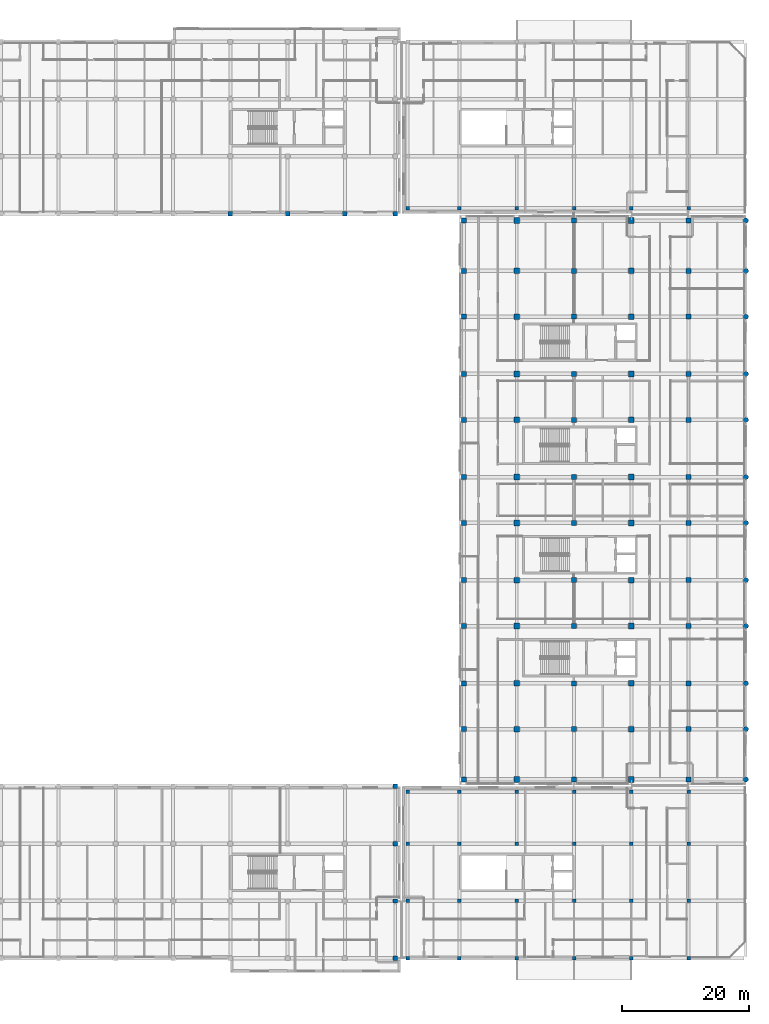
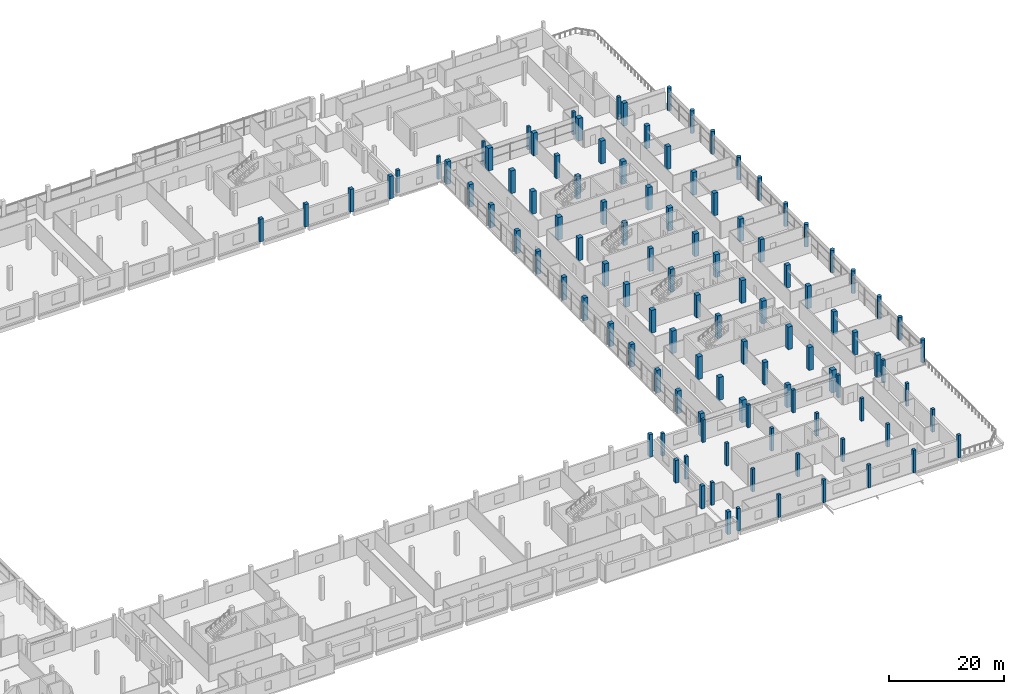
# One storey, part 2 of 111: 110 columns.
"""IFC4 building model written with IfcOpenShell, lengths in metres."""

from ifc_helpers import new_model, si_unit, direction, frame, origin, origin_2d, place, context, subcontext, project, spatial, rectangle, circle, extrude, material, material_profile, profile_set, type_object, element, save


model = new_model("IFC4")

# Units and contexts
model_context = context("Model", 3, precision=1e-05, world=origin(), true_north=direction((0.0, 1.0)))
body_context = subcontext(model_context, "Body", "Model", "MODEL_VIEW")
ifc_project = project(units=[si_unit("LENGTHUNIT", "METRE"), si_unit("AREAUNIT", "SQUARE_METRE"), si_unit("VOLUMEUNIT", "CUBIC_METRE"), si_unit("PLANEANGLEUNIT", "RADIAN"), si_unit("MASSUNIT", "GRAM", prefix="KILO"), si_unit("THERMODYNAMICTEMPERATUREUNIT", "KELVIN"), si_unit("POWERUNIT", "WATT")], contexts=[model_context])

# Site, building, storey
site_placement = place(None, origin())
site = spatial("IfcSite", under=ifc_project, at=site_placement, CompositionType="ELEMENT")
building_placement = place(site_placement, origin())
building = spatial("IfcBuilding", under=site, at=building_placement, Name="Sindhuravela Promenade Stadium", CompositionType="ELEMENT")
storey_placement = place(building_placement, frame((0.0, 0.0, 9.60009765625)))
storey = spatial("IfcBuildingStorey", under=building, at=storey_placement, Name="L02", CompositionType="ELEMENT", Elevation=9.60009765625)

# Columns
ifc_material = material(Name="Concrete M40", Category="concrete")
ifc_material_profile_1 = material_profile(ifc_material, rectangle(XDim=0.550048828125, YDim=0.550048828125, at=origin_2d()), Name="RC 550x550")
ifc_profile_set_1 = profile_set([ifc_material_profile_1], Name="Concrete M40")
column_type_1 = type_object("IfcColumnType", Name="RC-CL-550x550", PredefinedType="COLUMN", material=ifc_profile_set_1)
for number, where, z_axis, x_axis, name in (
    (1, (162.85009765625, 9.0, 0.0), (0.0, 0.0, 1.0), (1.0, 0.0, 0.0), "Column C18 Pavilion SE L02"),
    (2, (162.85009765625, 18.0, 0.0), (0.0, 0.0, 1.0), (1.0, 0.0, 0.0), "Column C18 Pavilion SE L02"),
    (3, (162.85009765625, 27.0, 0.0), (0.0, 0.0, 1.0), (1.0, 0.0, 0.0), "Column C18 Pavilion SE L02"),
    (4, (162.85009765625, 35.14990234375, 0.0), (0.0, 0.0, 1.0), (1.0, 0.0, 0.0), "Column C18 Pavilion SE L02"),
    (5, (171.0, 9.0, 0.0), (0.0, 0.0, 1.0), (1.0, 0.0, 0.0), "Column C18 Pavilion SE L02"),
    (6, (171.0, 18.0, 0.0), (0.0, 0.0, 1.0), (1.0, 0.0, 0.0), "Column C18 Pavilion SE L02"),
    (7, (171.0, 27.0, 0.0), (0.0, 0.0, 1.0), (1.0, 0.0, 0.0), "Column C18 Pavilion SE L02"),
    (8, (171.0, 35.14990234375, 0.0), (0.0, 0.0, 1.0), (1.0, 0.0, 0.0), "Column C18 Pavilion SE L02"),
    (9, (180.0, 9.0, 0.0), (0.0, 0.0, 1.0), (1.0, 0.0, 0.0), "Column C18 Pavilion SE L02"),
    (10, (180.0, 18.0, 0.0), (0.0, 0.0, 1.0), (1.0, 0.0, 0.0), "Column C18 Pavilion SE L02"),
    (11, (180.0, 27.0, 0.0), (0.0, 0.0, 1.0), (1.0, 0.0, 0.0), "Column C18 Pavilion SE L02"),
    (12, (180.0, 35.14990234375, 0.0), (0.0, 0.0, 1.0), (1.0, 0.0, 0.0), "Column C18 Pavilion SE L02"),
    (13, (189.0, 9.0, 0.0), (0.0, 0.0, 1.0), (1.0, 0.0, 0.0), "Column C18 Pavilion SE L02"),
    (14, (189.0, 18.0, 0.0), (0.0, 0.0, 1.0), (1.0, 0.0, 0.0), "Column C18 Pavilion SE L02"),
    (15, (189.0, 27.0, 0.0), (0.0, 0.0, 1.0), (1.0, 0.0, 0.0), "Column C18 Pavilion SE L02"),
    (16, (189.0, 35.14990234375, 0.0), (0.0, 0.0, 1.0), (1.0, 0.0, 0.0), "Column C18 Pavilion SE L02"),
    (17, (198.0, 9.0, 0.0), (0.0, 0.0, 1.0), (1.0, 0.0, 0.0), "Column C18 Pavilion SE L02"),
    (18, (198.0, 18.0, 0.0), (0.0, 0.0, 1.0), (1.0, 0.0, 0.0), "Column C18 Pavilion SE L02"),
    (19, (198.0, 27.0, 0.0), (0.0, 0.0, 1.0), (1.0, 0.0, 0.0), "Column C18 Pavilion SE L02"),
    (20, (198.0, 35.14990234375, 0.0), (0.0, 0.0, 1.0), (1.0, 0.0, 0.0), "Column C18 Pavilion SE L02"),
    (21, (207.0, 9.0, 0.0), (0.0, 0.0, 1.0), (1.0, 0.0, 0.0), "Column C18 Pavilion SE L02"),
    (22, (207.0, 18.0, 0.0), (0.0, 0.0, 1.0), (1.0, 0.0, 0.0), "Column C18 Pavilion SE L02"),
    (23, (207.0, 27.0, 0.0), (0.0, 0.0, 1.0), (1.0, 0.0, 0.0), "Column C18 Pavilion SE L02"),
    (24, (207.0, 35.14990234375, 0.0), (0.0, 0.0, 1.0), (1.0, 0.0, 0.0), "Column C18 Pavilion SE L02"),
    (25, (162.85009765625, 126.85009765625, 0.0), (0.0, 0.0, 1.0), (1.0, 0.0, 0.0), "Column C18 Pavilion NE L02"),
    (26, (171.0, 126.85009765625, 0.0), (0.0, 0.0, 1.0), (1.0, 0.0, 0.0), "Column C18 Pavilion NE L02"),
    (27, (180.0, 126.85009765625, 0.0), (0.0, 0.0, 1.0), (1.0, 0.0, 0.0), "Column C18 Pavilion NE L02"),
    (28, (189.0, 126.85009765625, 0.0), (0.0, 0.0, 1.0), (1.0, 0.0, 0.0), "Column C18 Pavilion NE L02"),
    (29, (198.0, 126.85009765625, 0.0), (0.0, 0.0, 1.0), (1.0, 0.0, 0.0), "Column C18 Pavilion NE L02"),
    (30, (207.0, 126.85009765625, 0.0), (0.0, 0.0, 1.0), (1.0, 0.0, 0.0), "Column C18 Pavilion NE L02"),
):
    element("IfcColumn", number, at=place(storey_placement, frame(where, z_axis=z_axis, x_axis=x_axis)), inside=storey, type_object=column_type_1, Name=name, PredefinedType="COLUMN", context=body_context, shape_type="SweptSolid", body=[
        extrude(rectangle(XDim=0.550048828125, YDim=0.550048828125, at=origin_2d()), origin(), (0.0, 0.0, 1.0), 4.7998046875),
    ])
ifc_material_profile_2 = material_profile(ifc_material, rectangle(XDim=0.699951171875, YDim=0.699951171875, at=origin_2d()), Name="RC 700x700")
ifc_profile_set_2 = profile_set([ifc_material_profile_2], Name="Concrete M40")
column_type_2 = type_object("IfcColumnType", Name="RC-CL-700x700", PredefinedType="COLUMN", material=ifc_profile_set_2)
for number, where, z_axis, x_axis, name in (
    (31, (135.0, 126.0, 0.0), (0.0, 0.0, 1.0), (1.0, 0.0, 0.0), "Column C14 NORTH L02"),
    (32, (144.0, 126.0, 0.0), (0.0, 0.0, 1.0), (1.0, 0.0, 0.0), "Column C14 NORTH L02"),
    (33, (153.0, 126.0, 0.0), (0.0, 0.0, 1.0), (1.0, 0.0, 0.0), "Column C14 NORTH L02"),
    (34, (160.89990234375, 126.0, 0.0), (0.0, 0.0, 1.0), (1.0, 0.0, 0.0), "Column C14 NORTH L02"),
    (35, (160.89990234375, 9.0, 0.0), (0.0, 0.0, 1.0), (1.0, 0.0, 0.0), "Column C14 SOUTH L02"),
    (36, (160.89990234375, 18.0, 0.0), (0.0, 0.0, 1.0), (1.0, 0.0, 0.0), "Column C14 SOUTH L02"),
    (37, (160.89990234375, 27.0, 0.0), (0.0, 0.0, 1.0), (1.0, 0.0, 0.0), "Column C14 SOUTH L02"),
    (38, (160.89990234375, 36.0, 0.0), (0.0, 0.0, 1.0), (1.0, 0.0, 0.0), "Column C14 SOUTH L02"),
):
    element("IfcColumn", number, at=place(storey_placement, frame(where, z_axis=z_axis, x_axis=x_axis)), inside=storey, type_object=column_type_2, Name=name, PredefinedType="COLUMN", context=body_context, shape_type="SweptSolid", body=[
        extrude(rectangle(XDim=0.699951171875, YDim=0.699951171875, at=origin_2d()), origin(), (0.0, 0.0, 1.0), 4.7998046875),
    ])
ifc_material_profile_3 = material_profile(ifc_material, rectangle(XDim=0.800048828125, YDim=0.800048828125, at=origin_2d()), Name="RC 800x800")
ifc_profile_set_3 = profile_set([ifc_material_profile_3], Name="Concrete M40")
column_type_3 = type_object("IfcColumnType", Name="RC-CL-800x800", PredefinedType="COLUMN", material=ifc_profile_set_3)
for number, where, z_axis, x_axis, name in (
    (39, (171.699951171875, 37.10009765625, 0.0), (0.0, 0.0, 1.0), (1.0, 0.0, 0.0), "Column C11 EAST L02"),
    (40, (171.699951171875, 45.0, 0.0), (0.0, 0.0, 1.0), (1.0, 0.0, 0.0), "Column C11 EAST L02"),
    (41, (171.699951171875, 52.199951171875, 0.0), (0.0, 0.0, 1.0), (1.0, 0.0, 0.0), "Column C11 EAST L02"),
    (42, (171.699951171875, 61.199951171875, 0.0), (0.0, 0.0, 1.0), (1.0, 0.0, 0.0), "Column C11 EAST L02"),
    (43, (171.699951171875, 68.39990234375, 0.0), (0.0, 0.0, 1.0), (1.0, 0.0, 0.0), "Column C11 EAST L02"),
    (44, (171.699951171875, 77.39990234375, 0.0), (0.0, 0.0, 1.0), (1.0, 0.0, 0.0), "Column C11 EAST L02"),
    (45, (171.699951171875, 84.60009765625, 0.0), (0.0, 0.0, 1.0), (1.0, 0.0, 0.0), "Column C11 EAST L02"),
    (46, (171.699951171875, 93.60009765625, 0.0), (0.0, 0.0, 1.0), (1.0, 0.0, 0.0), "Column C11 EAST L02"),
    (47, (171.699951171875, 100.800048828125, 0.0), (0.0, 0.0, 1.0), (1.0, 0.0, 0.0), "Column C11 EAST L02"),
    (48, (171.699951171875, 109.800048828125, 0.0), (0.0, 0.0, 1.0), (1.0, 0.0, 0.0), "Column C11 EAST L02"),
    (49, (171.699951171875, 117.0, 0.0), (0.0, 0.0, 1.0), (1.0, 0.0, 0.0), "Column C11 EAST L02"),
    (50, (171.699951171875, 124.89990234375, 0.0), (0.0, 0.0, 1.0), (1.0, 0.0, 0.0), "Column C11 EAST L02"),
    (51, (189.0, 37.10009765625, 0.0), (0.0, 0.0, 1.0), (1.0, 0.0, 0.0), "Column C11 EAST L02"),
    (52, (189.0, 45.0, 0.0), (0.0, 0.0, 1.0), (1.0, 0.0, 0.0), "Column C11 EAST L02"),
    (53, (189.0, 52.199951171875, 0.0), (0.0, 0.0, 1.0), (1.0, 0.0, 0.0), "Column C11 EAST L02"),
    (54, (189.0, 61.199951171875, 0.0), (0.0, 0.0, 1.0), (1.0, 0.0, 0.0), "Column C11 EAST L02"),
    (55, (189.0, 68.39990234375, 0.0), (0.0, 0.0, 1.0), (1.0, 0.0, 0.0), "Column C11 EAST L02"),
    (56, (189.0, 77.39990234375, 0.0), (0.0, 0.0, 1.0), (1.0, 0.0, 0.0), "Column C11 EAST L02"),
    (57, (189.0, 84.60009765625, 0.0), (0.0, 0.0, 1.0), (1.0, 0.0, 0.0), "Column C11 EAST L02"),
    (58, (189.0, 93.60009765625, 0.0), (0.0, 0.0, 1.0), (1.0, 0.0, 0.0), "Column C11 EAST L02"),
    (59, (189.0, 100.800048828125, 0.0), (0.0, 0.0, 1.0), (1.0, 0.0, 0.0), "Column C11 EAST L02"),
    (60, (189.0, 109.800048828125, 0.0), (0.0, 0.0, 1.0), (1.0, 0.0, 0.0), "Column C11 EAST L02"),
    (61, (189.0, 117.0, 0.0), (0.0, 0.0, 1.0), (1.0, 0.0, 0.0), "Column C11 EAST L02"),
    (62, (189.0, 124.89990234375, 0.0), (0.0, 0.0, 1.0), (1.0, 0.0, 0.0), "Column C11 EAST L02"),
    (63, (207.0, 37.10009765625, 0.0), (0.0, 0.0, 1.0), (1.0, 0.0, 0.0), "Column C11 EAST L02"),
    (64, (207.0, 45.0, 0.0), (0.0, 0.0, 1.0), (1.0, 0.0, 0.0), "Column C11 EAST L02"),
    (65, (207.0, 52.199951171875, 0.0), (0.0, 0.0, 1.0), (1.0, 0.0, 0.0), "Column C11 EAST L02"),
    (66, (207.0, 61.199951171875, 0.0), (0.0, 0.0, 1.0), (1.0, 0.0, 0.0), "Column C11 EAST L02"),
    (67, (207.0, 68.39990234375, 0.0), (0.0, 0.0, 1.0), (1.0, 0.0, 0.0), "Column C11 EAST L02"),
    (68, (207.0, 77.39990234375, 0.0), (0.0, 0.0, 1.0), (1.0, 0.0, 0.0), "Column C11 EAST L02"),
    (69, (207.0, 84.60009765625, 0.0), (0.0, 0.0, 1.0), (1.0, 0.0, 0.0), "Column C11 EAST L02"),
    (70, (207.0, 93.60009765625, 0.0), (0.0, 0.0, 1.0), (1.0, 0.0, 0.0), "Column C11 EAST L02"),
    (71, (207.0, 100.800048828125, 0.0), (0.0, 0.0, 1.0), (1.0, 0.0, 0.0), "Column C11 EAST L02"),
    (72, (207.0, 109.800048828125, 0.0), (0.0, 0.0, 1.0), (1.0, 0.0, 0.0), "Column C11 EAST L02"),
    (73, (207.0, 117.0, 0.0), (0.0, 0.0, 1.0), (1.0, 0.0, 0.0), "Column C11 EAST L02"),
    (74, (207.0, 124.89990234375, 0.0), (0.0, 0.0, 1.0), (1.0, 0.0, 0.0), "Column C11 EAST L02"),
):
    element("IfcColumn", number, at=place(storey_placement, frame(where, z_axis=z_axis, x_axis=x_axis)), inside=storey, type_object=column_type_3, Name=name, PredefinedType="COLUMN", context=body_context, shape_type="SweptSolid", body=[
        extrude(rectangle(XDim=0.800048828125, YDim=0.800048828125, at=origin_2d()), origin(), (0.0, 0.0, 1.0), 4.7998046875),
    ])
ifc_material_profile_4 = material_profile(ifc_material, rectangle(XDim=0.89990234375, YDim=0.89990234375, at=origin_2d()), Name="RC 900x900")
ifc_profile_set_4 = profile_set([ifc_material_profile_4], Name="Concrete M40")
column_type_4 = type_object("IfcColumnType", Name="RC-CL-900x900", PredefinedType="COLUMN", material=ifc_profile_set_4)
for number, where, z_axis, x_axis, name in (
    (75, (180.0, 37.10009765625, 0.0), (0.0, 0.0, 1.0), (1.0, 0.0, 0.0), "Column C08 EAST L02"),
    (76, (180.0, 45.0, 0.0), (0.0, 0.0, 1.0), (1.0, 0.0, 0.0), "Column C08 EAST L02"),
    (77, (180.0, 52.199951171875, 0.0), (0.0, 0.0, 1.0), (1.0, 0.0, 0.0), "Column C08 EAST L02"),
    (78, (180.0, 61.199951171875, 0.0), (0.0, 0.0, 1.0), (1.0, 0.0, 0.0), "Column C08 EAST L02"),
    (79, (180.0, 68.39990234375, 0.0), (0.0, 0.0, 1.0), (1.0, 0.0, 0.0), "Column C08 EAST L02"),
    (80, (180.0, 77.39990234375, 0.0), (0.0, 0.0, 1.0), (1.0, 0.0, 0.0), "Column C08 EAST L02"),
    (81, (180.0, 84.60009765625, 0.0), (0.0, 0.0, 1.0), (1.0, 0.0, 0.0), "Column C08 EAST L02"),
    (82, (180.0, 93.60009765625, 0.0), (0.0, 0.0, 1.0), (1.0, 0.0, 0.0), "Column C08 EAST L02"),
    (83, (180.0, 100.800048828125, 0.0), (0.0, 0.0, 1.0), (1.0, 0.0, 0.0), "Column C08 EAST L02"),
    (84, (180.0, 109.800048828125, 0.0), (0.0, 0.0, 1.0), (1.0, 0.0, 0.0), "Column C08 EAST L02"),
    (85, (180.0, 117.0, 0.0), (0.0, 0.0, 1.0), (1.0, 0.0, 0.0), "Column C08 EAST L02"),
    (86, (180.0, 124.89990234375, 0.0), (0.0, 0.0, 1.0), (1.0, 0.0, 0.0), "Column C08 EAST L02"),
    (87, (198.0, 37.10009765625, 0.0), (0.0, 0.0, 1.0), (1.0, 0.0, 0.0), "Column C08 EAST L02"),
    (88, (198.0, 45.0, 0.0), (0.0, 0.0, 1.0), (1.0, 0.0, 0.0), "Column C08 EAST L02"),
    (89, (198.0, 52.199951171875, 0.0), (0.0, 0.0, 1.0), (1.0, 0.0, 0.0), "Column C08 EAST L02"),
    (90, (198.0, 61.199951171875, 0.0), (0.0, 0.0, 1.0), (1.0, 0.0, 0.0), "Column C08 EAST L02"),
    (91, (198.0, 68.39990234375, 0.0), (0.0, 0.0, 1.0), (1.0, 0.0, 0.0), "Column C08 EAST L02"),
    (92, (198.0, 77.39990234375, 0.0), (0.0, 0.0, 1.0), (1.0, 0.0, 0.0), "Column C08 EAST L02"),
    (93, (198.0, 84.60009765625, 0.0), (0.0, 0.0, 1.0), (1.0, 0.0, 0.0), "Column C08 EAST L02"),
    (94, (198.0, 93.60009765625, 0.0), (0.0, 0.0, 1.0), (1.0, 0.0, 0.0), "Column C08 EAST L02"),
    (95, (198.0, 100.800048828125, 0.0), (0.0, 0.0, 1.0), (1.0, 0.0, 0.0), "Column C08 EAST L02"),
    (96, (198.0, 109.800048828125, 0.0), (0.0, 0.0, 1.0), (1.0, 0.0, 0.0), "Column C08 EAST L02"),
    (97, (198.0, 117.0, 0.0), (0.0, 0.0, 1.0), (1.0, 0.0, 0.0), "Column C08 EAST L02"),
    (98, (198.0, 124.89990234375, 0.0), (0.0, 0.0, 1.0), (1.0, 0.0, 0.0), "Column C08 EAST L02"),
):
    element("IfcColumn", number, at=place(storey_placement, frame(where, z_axis=z_axis, x_axis=x_axis)), inside=storey, type_object=column_type_4, Name=name, PredefinedType="COLUMN", context=body_context, shape_type="SweptSolid", body=[
        extrude(rectangle(XDim=0.89990234375, YDim=0.89990234375, at=origin_2d()), origin(), (0.0, 0.0, 1.0), 4.7998046875),
    ])
ifc_material_profile_5 = material_profile(ifc_material, circle(Radius=0.39990234375, at=origin_2d()), Name="RC D800")
ifc_profile_set_5 = profile_set([ifc_material_profile_5], Name="Concrete M40")
column_type_5 = type_object("IfcColumnType", Name="RC-CL-D800", PredefinedType="COLUMN", material=ifc_profile_set_5)
for number, where, z_axis, x_axis, name in (
    (99, (216.0, 37.10009765625, 0.0), (0.0, 0.0, 1.0), (1.0, 0.0, 0.0), "Column CD3 EAST L02"),
    (100, (216.0, 45.0, 0.0), (0.0, 0.0, 1.0), (1.0, 0.0, 0.0), "Column CD3 EAST L02"),
    (101, (216.0, 52.199951171875, 0.0), (0.0, 0.0, 1.0), (1.0, 0.0, 0.0), "Column CD3 EAST L02"),
    (102, (216.0, 61.199951171875, 0.0), (0.0, 0.0, 1.0), (1.0, 0.0, 0.0), "Column CD3 EAST L02"),
    (103, (216.0, 68.39990234375, 0.0), (0.0, 0.0, 1.0), (1.0, 0.0, 0.0), "Column CD3 EAST L02"),
    (104, (216.0, 77.39990234375, 0.0), (0.0, 0.0, 1.0), (1.0, 0.0, 0.0), "Column CD3 EAST L02"),
    (105, (216.0, 84.60009765625, 0.0), (0.0, 0.0, 1.0), (1.0, 0.0, 0.0), "Column CD3 EAST L02"),
    (106, (216.0, 93.60009765625, 0.0), (0.0, 0.0, 1.0), (1.0, 0.0, 0.0), "Column CD3 EAST L02"),
    (107, (216.0, 100.800048828125, 0.0), (0.0, 0.0, 1.0), (1.0, 0.0, 0.0), "Column CD3 EAST L02"),
    (108, (216.0, 109.800048828125, 0.0), (0.0, 0.0, 1.0), (1.0, 0.0, 0.0), "Column CD3 EAST L02"),
    (109, (216.0, 117.0, 0.0), (0.0, 0.0, 1.0), (1.0, 0.0, 0.0), "Column CD3 EAST L02"),
    (110, (216.0, 124.89990234375, 0.0), (0.0, 0.0, 1.0), (1.0, 0.0, 0.0), "Column CD3 EAST L02"),
):
    element("IfcColumn", number, at=place(storey_placement, frame(where, z_axis=z_axis, x_axis=x_axis)), inside=storey, type_object=column_type_5, Name=name, PredefinedType="COLUMN", context=body_context, shape_type="SweptSolid", body=[
        extrude(circle(Radius=0.39990234375, at=origin_2d()), origin(), (0.0, 0.0, 1.0), 4.7998046875),
    ])

save(model, "model.ifc")
